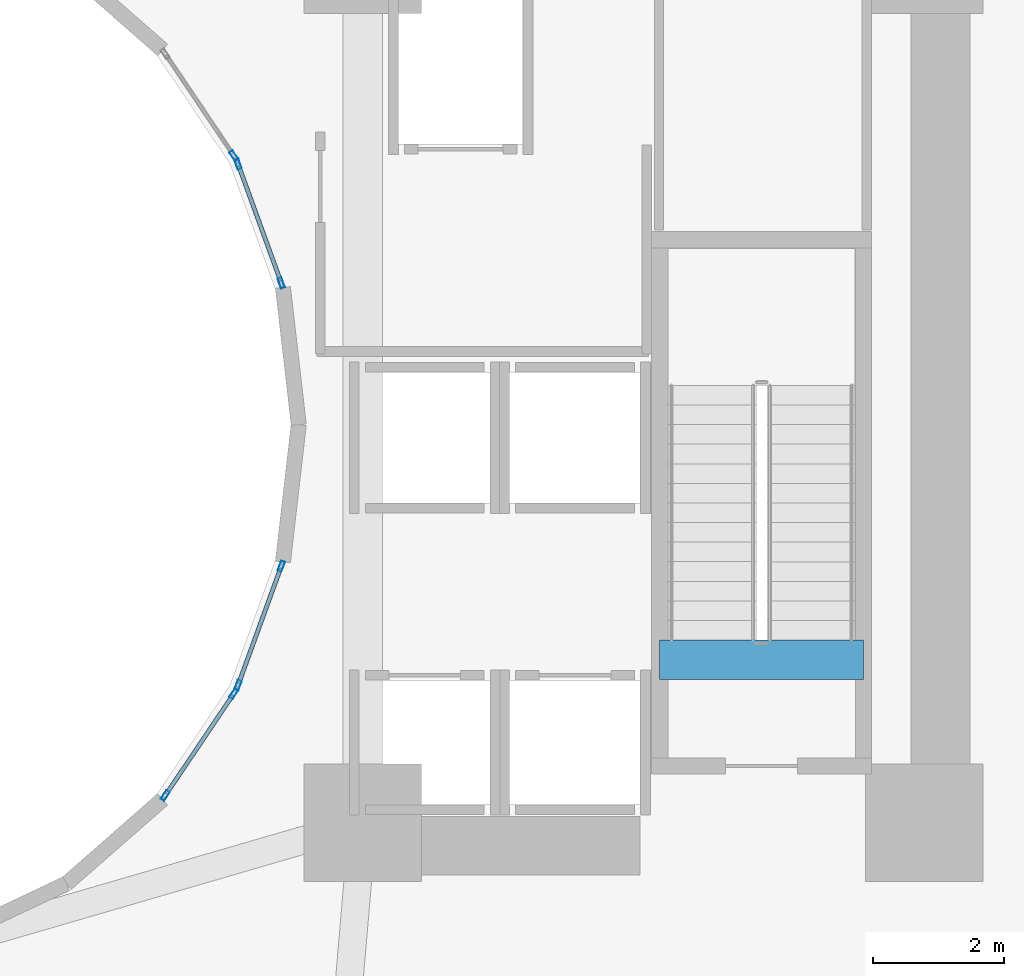
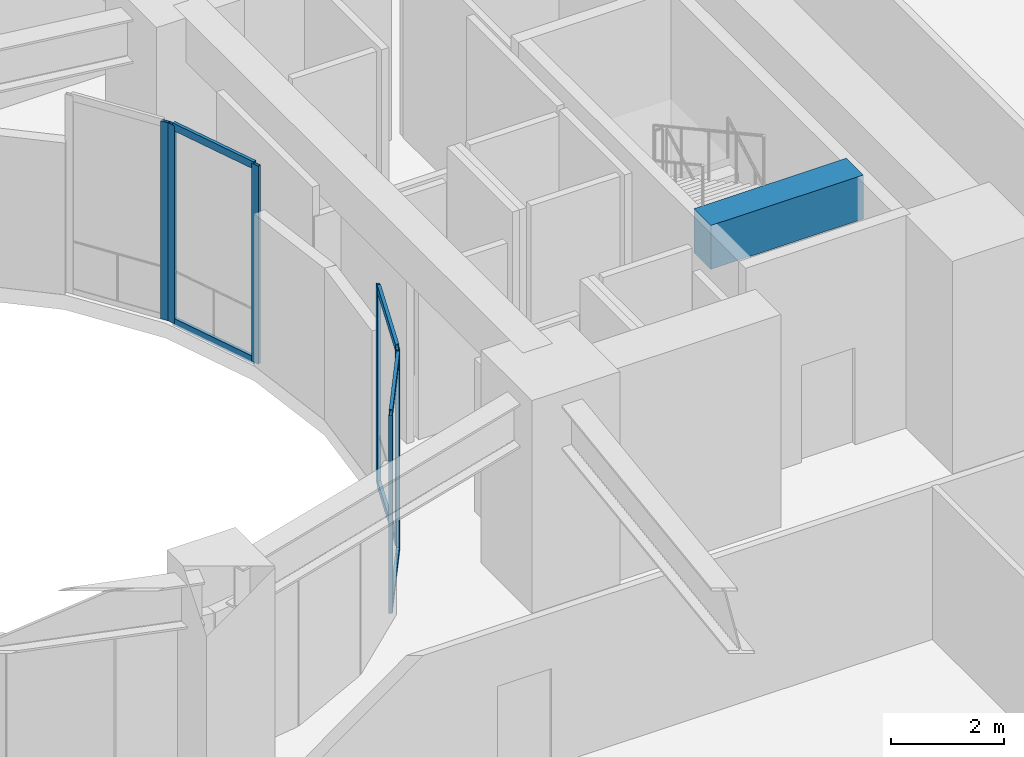
# One storey, part 7 of 25: 13 members, 1 beam, 4 elements without a shape of their own.
"""IFC4 building model written with IfcOpenShell, lengths in metres."""

from ifc_helpers import new_model, si_unit, direction, frame, origin, origin_2d, place, context, subcontext, project, spatial, rectangle, hollow_rectangle, extrude, material, layer, layer_set, material_profile, profile_set, type_object, element, aggregate, save


model = new_model("IFC4")

# Units and contexts
model_context = context("Model", 3, precision=1e-05, world=origin(), true_north=direction((0.0, 1.0)))
body_context = subcontext(model_context, "Body", "Model", "MODEL_VIEW")
ifc_project = project(units=[si_unit("LENGTHUNIT", "METRE"), si_unit("AREAUNIT", "SQUARE_METRE"), si_unit("VOLUMEUNIT", "CUBIC_METRE"), si_unit("PLANEANGLEUNIT", "RADIAN"), si_unit("MASSUNIT", "GRAM", prefix="KILO")], contexts=[model_context])

# Site, building, storey
site_placement = place(None, origin())
site = spatial("IfcSite", under=ifc_project, at=site_placement, CompositionType="ELEMENT")
building_placement = place(site_placement, origin())
building = spatial("IfcBuilding", under=site, at=building_placement, Name="Solvane Sanctuary Tower", CompositionType="ELEMENT")
storey_placement = place(building_placement, frame((0.0, 0.0, 13.800048828125)))
storey = spatial("IfcBuildingStorey", under=building, at=storey_placement, Name="L04", CompositionType="ELEMENT", Elevation=13.800048828125)

# Beam
ifc_material_1 = material(Name="Concrete C70/85", Category="concrete")
ifc_material_profile_1 = material_profile(ifc_material_1, rectangle(XDim=0.60009765625, YDim=0.949951171875, at=origin_2d()), Name="RC600X950")
ifc_profile_set_1 = profile_set([ifc_material_profile_1], Name="Concrete C70/85")
beam_type = type_object("IfcBeamType", Name="Beam B-COUPLE RC600X950", PredefinedType="LINTEL", material=ifc_profile_set_1)
beam_placement = place(storey_placement, frame((44.64990234375, 19.399169921875, 4.125), z_axis=(1.0, 0.0, 0.0), x_axis=(0.0, 1.0, 0.0)))
element("IfcBeam", 1, at=beam_placement, inside=storey, type_object=beam_type, Name="L04 ST-2 Stair Floor Landing Trimmer", PredefinedType="LINTEL", context=body_context, shape_type="SweptSolid", body=[
    extrude(rectangle(XDim=0.60009765625, YDim=0.949951171875, at=origin_2d()), origin(), (0.0, 0.0, 1.0), 3.1201171875),
])

# Curtain wall, members
ifc_material_2 = material(Name="Anodised Aluminium 6063-T6", Category="aluminium")
ifc_layer = layer(ifc_material_2, 0.199951171875, Name="Anodised Aluminium 6063-T6")
ifc_layer_set = layer_set([ifc_layer], Name="Anodised Aluminium 6063-T6")
curtain_wall_type = type_object("IfcCurtainWallType", Name="Curtain Wall CW-WELL", PredefinedType="NOTDEFINED", material=ifc_layer_set)
curtain_wall_1_placement = place(storey_placement, origin())
curtain_wall_1 = element("IfcCurtainWall", 2, at=curtain_wall_1_placement, inside=storey, type_object=curtain_wall_type, Name="L04 Light-Well Curtain Wall 01", PredefinedType="NOTDEFINED")
ifc_material_profile_2 = material_profile(ifc_material_2, hollow_rectangle(XDim=0.06494140625, YDim=0.159912109375, WallThickness=0.00341796875, at=origin_2d()), Name="ALU160X65X3.5")
ifc_profile_set_2 = profile_set([ifc_material_profile_2], Name="Anodised Aluminium 6063-T6")
member_type_1 = type_object("IfcMemberType", Name="Member M-CW-MUL-2 ALU160X65X3.5", PredefinedType="MULLION", material=ifc_profile_set_2)
member_1_placement = place(storey_placement, frame((38.8525390625, 25.169677734375, 0.0), z_axis=(0.0, 0.0, 1.0), x_axis=(-0.939937610132, -0.341346289067, 0.0)))
member_1 = element("IfcMember", 3, at=member_1_placement, type_object=member_type_1, Name="CW-WELL mullion 1", PredefinedType="MULLION", context=body_context, shape_type="SweptSolid", body=[
    extrude(hollow_rectangle(XDim=0.06494140625, YDim=0.159912109375, WallThickness=0.00341796875, at=origin_2d()), origin(), (0.0, 0.0, 1.0), 4.280029296875),
])
member_2_placement = place(storey_placement, frame((38.19091796875, 26.991943359375, 0.0), z_axis=(0.0, 0.0, 1.0), x_axis=(-0.939937610132, -0.341346289067, 0.0)))
member_2 = element("IfcMember", 4, at=member_2_placement, type_object=member_type_1, Name="CW-WELL mullion 2", PredefinedType="MULLION", context=body_context, shape_type="SweptSolid", body=[
    extrude(hollow_rectangle(XDim=0.06494140625, YDim=0.159912109375, WallThickness=0.00341796875, at=origin_2d()), origin(), (0.0, 0.0, 1.0), 4.280029296875),
])

# Curtain wall, member
curtain_wall_2_placement = place(storey_placement, origin())
curtain_wall_2 = element("IfcCurtainWall", 5, at=curtain_wall_2_placement, inside=storey, type_object=curtain_wall_type, Name="L04 Light-Well Curtain Wall 02", PredefinedType="NOTDEFINED")
member_3_placement = place(storey_placement, frame((38.125732421875, 27.1201171875, 0.0), z_axis=(0.0, 0.0, 1.0), x_axis=(-0.829664150104, -0.558262839559, 0.0)))
member_3 = element("IfcMember", 6, at=member_3_placement, type_object=member_type_1, Name="CW-WELL mullion 1", PredefinedType="MULLION", context=body_context, shape_type="SweptSolid", body=[
    extrude(hollow_rectangle(XDim=0.06494140625, YDim=0.159912109375, WallThickness=0.00341796875, at=origin_2d()), origin(), (0.0, 0.0, 1.0), 4.280029296875),
])
aggregate(curtain_wall_2, [member_3])

# Curtain wall, members
curtain_wall_3_placement = place(storey_placement, origin())
curtain_wall_3 = element("IfcCurtainWall", 7, at=curtain_wall_3_placement, inside=storey, type_object=curtain_wall_type, Name="L04 Light-Well Curtain Wall 21", PredefinedType="NOTDEFINED")
member_4_placement = place(storey_placement, frame((37.074951171875, 17.318359375, 0.0), z_axis=(0.0, 0.0, 1.0), x_axis=(-0.829664150104, 0.558262839559, 0.0)))
member_4 = element("IfcMember", 8, at=member_4_placement, type_object=member_type_1, Name="CW-WELL mullion 1", PredefinedType="MULLION", context=body_context, shape_type="SweptSolid", body=[
    extrude(hollow_rectangle(XDim=0.06494140625, YDim=0.159912109375, WallThickness=0.00341796875, at=origin_2d()), origin(), (0.0, 0.0, 1.0), 4.280029296875),
])
member_5_placement = place(storey_placement, frame((38.125732421875, 18.8798828125, 0.0), z_axis=(0.0, 0.0, 1.0), x_axis=(-0.829664150104, 0.558262839559, 0.0)))
member_5 = element("IfcMember", 9, at=member_5_placement, type_object=member_type_1, Name="CW-WELL mullion 2", PredefinedType="MULLION", context=body_context, shape_type="SweptSolid", body=[
    extrude(hollow_rectangle(XDim=0.06494140625, YDim=0.159912109375, WallThickness=0.00341796875, at=origin_2d()), origin(), (0.0, 0.0, 1.0), 4.280029296875),
])

curtain_wall_4_placement = place(storey_placement, origin())
curtain_wall_4 = element("IfcCurtainWall", 10, at=curtain_wall_4_placement, inside=storey, type_object=curtain_wall_type, Name="L04 Light-Well Curtain Wall 22", PredefinedType="NOTDEFINED")
member_6_placement = place(storey_placement, frame((38.19091796875, 19.008056640625, 0.0), z_axis=(0.0, 0.0, 1.0), x_axis=(-0.939937610132, 0.341346289067, 0.0)))
member_6 = element("IfcMember", 11, at=member_6_placement, type_object=member_type_1, Name="CW-WELL mullion 1", PredefinedType="MULLION", context=body_context, shape_type="SweptSolid", body=[
    extrude(hollow_rectangle(XDim=0.06494140625, YDim=0.159912109375, WallThickness=0.00341796875, at=origin_2d()), origin(), (0.0, 0.0, 1.0), 4.280029296875),
])
member_7_placement = place(storey_placement, frame((38.8525390625, 20.830322265625, 0.0), z_axis=(0.0, 0.0, 1.0), x_axis=(-0.939937610132, 0.341346289067, 0.0)))
member_7 = element("IfcMember", 12, at=member_7_placement, type_object=member_type_1, Name="CW-WELL mullion 2", PredefinedType="MULLION", context=body_context, shape_type="SweptSolid", body=[
    extrude(hollow_rectangle(XDim=0.06494140625, YDim=0.159912109375, WallThickness=0.00341796875, at=origin_2d()), origin(), (0.0, 0.0, 1.0), 4.280029296875),
])

# Member
ifc_material_profile_3 = material_profile(ifc_material_2, hollow_rectangle(XDim=0.06494140625, YDim=0.159912109375, WallThickness=0.00341796875, at=origin_2d()), Name="ALU160X65X3.5")
ifc_profile_set_3 = profile_set([ifc_material_profile_3], Name="Anodised Aluminium 6063-T6")
member_type_2 = type_object("IfcMemberType", Name="Member M-CW-TRN-1 ALU160X65X3.5", PredefinedType="USERDEFINED", material=ifc_profile_set_3)
member_8_placement = place(storey_placement, frame((38.841552734375, 25.2001953125, 0.032470703125), z_axis=(-0.341366423667, 0.939930297837, 0.0), x_axis=(-0.939930297837, -0.341366423667, 0.0)))
member_8 = element("IfcMember", 13, at=member_8_placement, type_object=member_type_2, Name="CW-WELL transom 1.1", ObjectType="TRANSOM", PredefinedType="USERDEFINED", context=body_context, shape_type="SweptSolid", body=[
    extrude(hollow_rectangle(XDim=0.06494140625, YDim=0.159912109375, WallThickness=0.00341796875, at=origin_2d()), origin(), (0.0, 0.0, 1.0), 1.873779296875),
])

member_9_placement = place(storey_placement, frame((38.841552734375, 25.2001953125, 4.24755859375), z_axis=(-0.341366423667, 0.939930297837, 0.0), x_axis=(-0.939930297837, -0.341366423667, 0.0)))
member_9 = element("IfcMember", 14, at=member_9_placement, type_object=member_type_2, Name="CW-WELL transom 1.2", ObjectType="TRANSOM", PredefinedType="USERDEFINED", context=body_context, shape_type="SweptSolid", body=[
    extrude(hollow_rectangle(XDim=0.06494140625, YDim=0.159912109375, WallThickness=0.00341796875, at=origin_2d()), origin(), (0.0, 0.0, 1.0), 1.873779296875),
])

aggregate(curtain_wall_1, [member_1, member_2, member_8, member_9])

member_10_placement = place(storey_placement, frame((37.09326171875, 17.345458984375, 0.032470703125), z_axis=(0.558230518083, 0.829685897603, 0.0), x_axis=(-0.829685897603, 0.558230518083, 0.0)))
member_10 = element("IfcMember", 15, at=member_10_placement, type_object=member_type_2, Name="CW-WELL transom 1.1", ObjectType="TRANSOM", PredefinedType="USERDEFINED", context=body_context, shape_type="SweptSolid", body=[
    extrude(hollow_rectangle(XDim=0.06494140625, YDim=0.159912109375, WallThickness=0.00341796875, at=origin_2d()), origin(), (0.0, 0.0, 1.0), 1.816650390625),
])

member_11_placement = place(storey_placement, frame((37.09326171875, 17.345458984375, 4.24755859375), z_axis=(0.558230518083, 0.829685897603, 0.0), x_axis=(-0.829685897603, 0.558230518083, 0.0)))
member_11 = element("IfcMember", 16, at=member_11_placement, type_object=member_type_2, Name="CW-WELL transom 1.2", ObjectType="TRANSOM", PredefinedType="USERDEFINED", context=body_context, shape_type="SweptSolid", body=[
    extrude(hollow_rectangle(XDim=0.06494140625, YDim=0.159912109375, WallThickness=0.00341796875, at=origin_2d()), origin(), (0.0, 0.0, 1.0), 1.816650390625),
])

aggregate(curtain_wall_3, [member_4, member_5, member_10, member_11])

member_12_placement = place(storey_placement, frame((38.201904296875, 19.03857421875, 0.032470703125), z_axis=(0.341366423667, 0.939930297837, 0.0), x_axis=(-0.939930297837, 0.341366423667, 0.0)))
member_12 = element("IfcMember", 17, at=member_12_placement, type_object=member_type_2, Name="CW-WELL transom 1.1", ObjectType="TRANSOM", PredefinedType="USERDEFINED", context=body_context, shape_type="SweptSolid", body=[
    extrude(hollow_rectangle(XDim=0.06494140625, YDim=0.159912109375, WallThickness=0.00341796875, at=origin_2d()), origin(), (0.0, 0.0, 1.0), 1.873779296875),
])

member_13_placement = place(storey_placement, frame((38.201904296875, 19.03857421875, 4.24755859375), z_axis=(0.341366423667, 0.939930297837, 0.0), x_axis=(-0.939930297837, 0.341366423667, 0.0)))
member_13 = element("IfcMember", 18, at=member_13_placement, type_object=member_type_2, Name="CW-WELL transom 1.2", ObjectType="TRANSOM", PredefinedType="USERDEFINED", context=body_context, shape_type="SweptSolid", body=[
    extrude(hollow_rectangle(XDim=0.06494140625, YDim=0.159912109375, WallThickness=0.00341796875, at=origin_2d()), origin(), (0.0, 0.0, 1.0), 1.873779296875),
])

aggregate(curtain_wall_4, [member_6, member_7, member_12, member_13])

save(model, "model.ifc")
